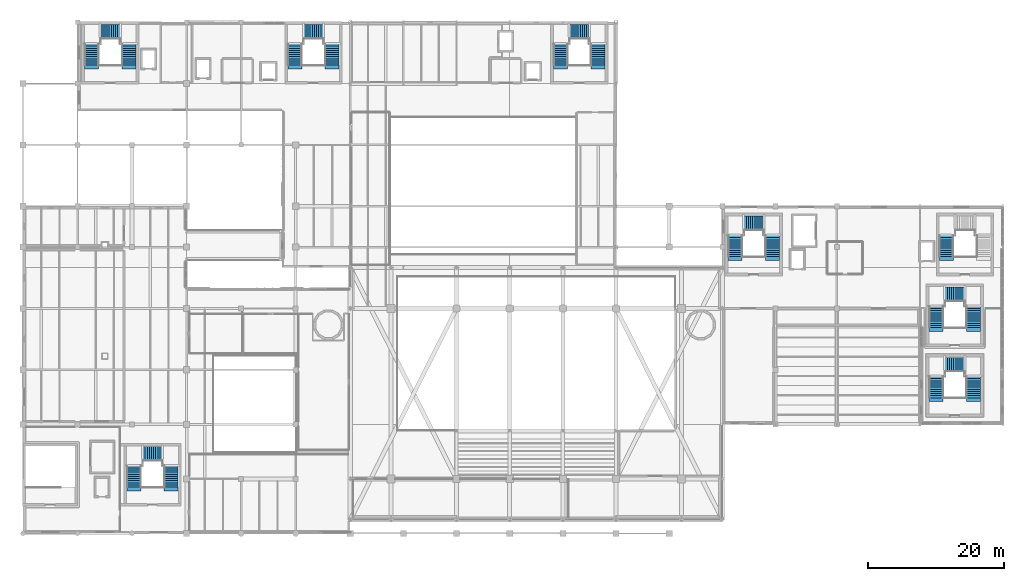
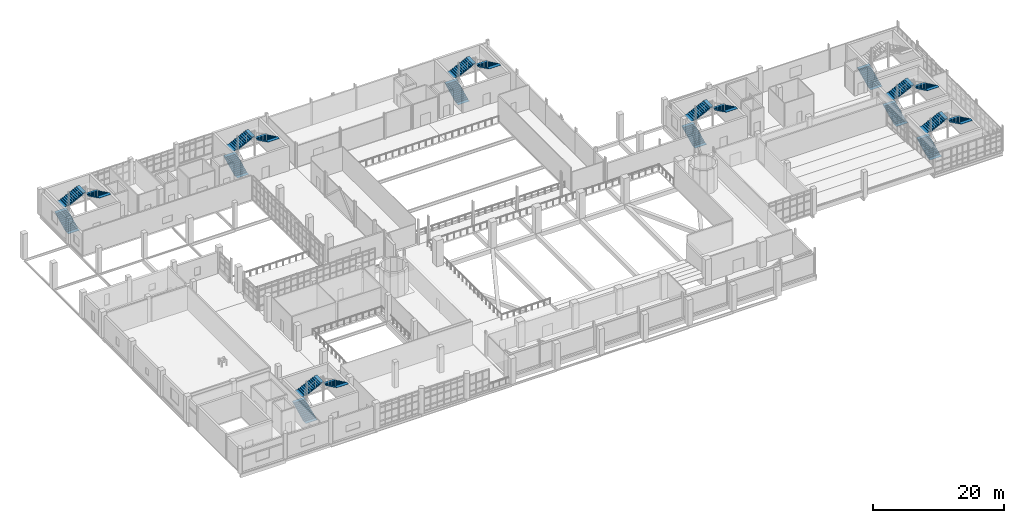
# One storey, part 93 of 100: 22 stair flights, 8 elements without a shape of their own.
"""IFC4 building model written with IfcOpenShell, lengths in metres."""

from ifc_helpers import new_model, si_unit, derived_unit, direction, frame, origin, place, context, subcontext, project, spatial, polyline, outline, extrude, material, type_object, element, aggregate, save


model = new_model("IFC4")

# Units and contexts
model_context = context("Model", 3, precision=1e-05, world=origin(), true_north=direction((0.0, 1.0)))
body_context = subcontext(model_context, "Body", "Model", "MODEL_VIEW")
ifc_project = project(units=[si_unit("LENGTHUNIT", "METRE"), si_unit("AREAUNIT", "SQUARE_METRE"), si_unit("VOLUMEUNIT", "CUBIC_METRE"), si_unit("PLANEANGLEUNIT", "RADIAN"), si_unit("MASSUNIT", "GRAM", prefix="KILO"), derived_unit("THERMALTRANSMITTANCEUNIT", [(si_unit("POWERUNIT", "WATT"), 1), (si_unit("LENGTHUNIT", "METRE"), -2), (si_unit("THERMODYNAMICTEMPERATUREUNIT", "KELVIN"), -1)])], contexts=[model_context])

# Site, building, storey
site_placement = place(None, origin())
site = spatial("IfcSite", under=ifc_project, at=site_placement, CompositionType="ELEMENT")
building_placement = place(site_placement, origin())
building = spatial("IfcBuilding", under=site, at=building_placement, Name="Nallur Shell Playhouse", CompositionType="ELEMENT")
storey_placement = place(building_placement, frame((0.0, 0.0, 10.199951171875)))
storey = spatial("IfcBuildingStorey", under=building, at=storey_placement, Name="L03", CompositionType="ELEMENT", Elevation=10.199951171875)

# Stair, stair flights
ifc_material = material(Name="Concrete M35", Category="concrete")
stair_type = type_object("IfcStairType", Name="ST-CORE-48", PredefinedType="QUARTER_TURN_STAIR", material=ifc_material)
stair_1_placement = place(storey_placement, origin())
stair_1 = element("IfcStair", 1, at=stair_1_placement, inside=storey, type_object=stair_type, Name="Core JC-2 exit stair ST-02-L03 (L03 to L04)", PredefinedType="QUARTER_TURN_STAIR")
stair_flight_type_1 = type_object("IfcStairFlightType", Name="ST-FLIGHT-208", PredefinedType="STRAIGHT", material=ifc_material)
stair_flight_1_placement = place(storey_placement, frame((120.469970703125, 48.60009765625, 0.0), z_axis=(0.0, 0.0, 1.0), x_axis=(0.0, 1.0, 0.0)))
stair_flight_1 = element("IfcStairFlight", 2, at=stair_flight_1_placement, type_object=stair_flight_type_1, Name="ST-48 flight 1", NumberOfRisers=11, NumberOfTreads=10, PredefinedType="STRAIGHT", RiserHeight=0.15, TreadLength=0.31, context=body_context, shape_type="SweptSolid", body=[
    extrude(outline(polyline([(-0.580078125, 0.0), (-0.580078125, 0.01806640625), (0.0, 0.01806640625), (0.0, 0.14990234375), (0.31005859375, 0.14990234375), (0.31005859375, 0.300048828125), (0.6201171875, 0.300048828125), (0.6201171875, 0.449951171875), (0.929931640625, 0.449951171875), (0.929931640625, 0.60009765625), (1.239990234375, 0.60009765625), (1.239990234375, 0.75), (1.550048828125, 0.75), (1.550048828125, 0.89990234375), (1.860107421875, 0.89990234375), (1.860107421875, 1.050048828125), (2.169921875, 1.050048828125), (2.169921875, 1.199951171875), (2.47998046875, 1.199951171875), (2.47998046875, 1.35009765625), (2.7900390625, 1.35009765625), (2.7900390625, 1.5), (3.10009765625, 1.5), (3.10009765625, 1.64990234375), (3.68017578125, 1.64990234375), (3.68017578125, 1.6318359375), (3.10009765625, 1.322265625), (0.3671875, 0.0), (-0.580078125, 0.0)])), frame((0.0, 1.030029296875, 0.0), z_axis=(0.0, -1.0, 0.0), x_axis=(1.0, 0.0, 0.0)), (0.0, 0.0, 1.0), 2.06005859375),
])
stair_flight_2_placement = place(storey_placement, frame((121.804931640625, 53.510009765625, 1.650146484375), z_axis=(0.0, 0.0, 1.0), x_axis=(1.0, 0.0, 0.0)))
stair_flight_2 = element("IfcStairFlight", 3, at=stair_flight_2_placement, type_object=stair_flight_type_1, Name="ST-48 flight 2", NumberOfRisers=10, NumberOfTreads=9, PredefinedType="STRAIGHT", RiserHeight=0.15, TreadLength=0.31, context=body_context, shape_type="SweptSolid", body=[
    extrude(outline(polyline([(-0.580078125, 0.0), (-0.580078125, 0.01806640625), (0.0, 0.01806640625), (0.0, 0.14990234375), (0.31005859375, 0.14990234375), (0.31005859375, 0.300048828125), (0.6201171875, 0.300048828125), (0.6201171875, 0.449951171875), (0.929931640625, 0.449951171875), (0.929931640625, 0.60009765625), (1.239990234375, 0.60009765625), (1.239990234375, 0.75), (1.550048828125, 0.75), (1.550048828125, 0.89990234375), (1.860107421875, 0.89990234375), (1.860107421875, 1.050048828125), (2.169921875, 1.050048828125), (2.169921875, 1.199951171875), (2.47998046875, 1.199951171875), (2.47998046875, 1.35009765625), (2.7900390625, 1.35009765625), (2.7900390625, 1.5), (3.3701171875, 1.5), (3.3701171875, 1.48193359375), (2.7900390625, 1.17236328125), (0.3671875, 0.0), (-0.580078125, 0.0)])), frame((0.0, 1.030029296875, 0.0), z_axis=(0.0, -1.0, 0.0), x_axis=(1.0, 0.0, 0.0)), (0.0, 0.0, 1.0), 2.06005859375),
])
stair_flight_3_placement = place(storey_placement, frame((125.929931640625, 51.699951171875, 3.150146484375), z_axis=(0.0, 0.0, 1.0), x_axis=(0.0, -1.0, 0.0)))
stair_flight_3 = element("IfcStairFlight", 4, at=stair_flight_3_placement, type_object=stair_flight_type_1, Name="ST-48 flight 3", NumberOfRisers=11, NumberOfTreads=10, PredefinedType="STRAIGHT", RiserHeight=0.15, TreadLength=0.31, context=body_context, shape_type="SweptSolid", body=[
    extrude(outline(polyline([(-0.580078125, 0.0), (-0.580078125, 0.01806640625), (0.0, 0.01806640625), (0.0, 0.14990234375), (0.31005859375, 0.14990234375), (0.31005859375, 0.300048828125), (0.6201171875, 0.300048828125), (0.6201171875, 0.449951171875), (0.929931640625, 0.449951171875), (0.929931640625, 0.60009765625), (1.239990234375, 0.60009765625), (1.239990234375, 0.75), (1.550048828125, 0.75), (1.550048828125, 0.89990234375), (1.860107421875, 0.89990234375), (1.860107421875, 1.050048828125), (2.169921875, 1.050048828125), (2.169921875, 1.199951171875), (2.47998046875, 1.199951171875), (2.47998046875, 1.35009765625), (2.7900390625, 1.35009765625), (2.7900390625, 1.5), (3.10009765625, 1.5), (3.10009765625, 1.64990234375), (3.68017578125, 1.64990234375), (3.68017578125, 1.6318359375), (3.10009765625, 1.322265625), (0.3671875, 0.0), (-0.580078125, 0.0)])), frame((0.0, 1.030029296875, 0.0), z_axis=(0.0, -1.0, 0.0), x_axis=(1.0, 0.0, 0.0)), (0.0, 0.0, 1.0), 2.06005859375),
])
aggregate(stair_1, [stair_flight_1, stair_flight_2, stair_flight_3])

stair_2_placement = place(storey_placement, origin())
stair_2 = element("IfcStair", 5, at=stair_2_placement, inside=storey, type_object=stair_type, Name="Core JC-4 exit stair ST-04-L03 (L03 to L04)", PredefinedType="QUARTER_TURN_STAIR")
stair_flight_4_placement = place(storey_placement, frame((94.8701171875, 76.699951171875, 0.0), z_axis=(0.0, 0.0, 1.0), x_axis=(0.0, 1.0, 0.0)))
stair_flight_4 = element("IfcStairFlight", 6, at=stair_flight_4_placement, type_object=stair_flight_type_1, Name="ST-48 flight 1", NumberOfRisers=11, NumberOfTreads=10, PredefinedType="STRAIGHT", RiserHeight=0.15, TreadLength=0.31, context=body_context, shape_type="SweptSolid", body=[
    extrude(outline(polyline([(-0.580078125, 0.0), (-0.580078125, 0.01806640625), (0.0, 0.01806640625), (0.0, 0.14990234375), (0.31005859375, 0.14990234375), (0.31005859375, 0.300048828125), (0.6201171875, 0.300048828125), (0.6201171875, 0.449951171875), (0.929931640625, 0.449951171875), (0.929931640625, 0.60009765625), (1.239990234375, 0.60009765625), (1.239990234375, 0.75), (1.550048828125, 0.75), (1.550048828125, 0.89990234375), (1.860107421875, 0.89990234375), (1.860107421875, 1.050048828125), (2.169921875, 1.050048828125), (2.169921875, 1.199951171875), (2.47998046875, 1.199951171875), (2.47998046875, 1.35009765625), (2.7900390625, 1.35009765625), (2.7900390625, 1.5), (3.10009765625, 1.5), (3.10009765625, 1.64990234375), (3.68017578125, 1.64990234375), (3.68017578125, 1.6318359375), (3.10009765625, 1.322265625), (0.3671875, 0.0), (-0.580078125, 0.0)])), frame((0.0, 1.030029296875, 0.0), z_axis=(0.0, -1.0, 0.0), x_axis=(1.0, 0.0, 0.0)), (0.0, 0.0, 1.0), 2.06005859375),
])
stair_flight_5_placement = place(storey_placement, frame((96.205078125, 81.610107421875, 1.650146484375), z_axis=(0.0, 0.0, 1.0), x_axis=(1.0, 0.0, 0.0)))
stair_flight_5 = element("IfcStairFlight", 7, at=stair_flight_5_placement, type_object=stair_flight_type_1, Name="ST-48 flight 2", NumberOfRisers=10, NumberOfTreads=9, PredefinedType="STRAIGHT", RiserHeight=0.15, TreadLength=0.31, context=body_context, shape_type="SweptSolid", body=[
    extrude(outline(polyline([(-0.580078125, 0.0), (-0.580078125, 0.01806640625), (0.0, 0.01806640625), (0.0, 0.14990234375), (0.31005859375, 0.14990234375), (0.31005859375, 0.300048828125), (0.6201171875, 0.300048828125), (0.6201171875, 0.449951171875), (0.929931640625, 0.449951171875), (0.929931640625, 0.60009765625), (1.239990234375, 0.60009765625), (1.239990234375, 0.75), (1.550048828125, 0.75), (1.550048828125, 0.89990234375), (1.860107421875, 0.89990234375), (1.860107421875, 1.050048828125), (2.169921875, 1.050048828125), (2.169921875, 1.199951171875), (2.47998046875, 1.199951171875), (2.47998046875, 1.35009765625), (2.7900390625, 1.35009765625), (2.7900390625, 1.5), (3.3701171875, 1.5), (3.3701171875, 1.48193359375), (2.7900390625, 1.17236328125), (0.3671875, 0.0), (-0.580078125, 0.0)])), frame((0.0, 1.030029296875, 0.0), z_axis=(0.0, -1.0, 0.0), x_axis=(1.0, 0.0, 0.0)), (0.0, 0.0, 1.0), 2.06005859375),
])
stair_flight_6_placement = place(storey_placement, frame((100.330078125, 79.800048828125, 3.150146484375), z_axis=(0.0, 0.0, 1.0), x_axis=(0.0, -1.0, 0.0)))
stair_flight_6 = element("IfcStairFlight", 8, at=stair_flight_6_placement, type_object=stair_flight_type_1, Name="ST-48 flight 3", NumberOfRisers=11, NumberOfTreads=10, PredefinedType="STRAIGHT", RiserHeight=0.15, TreadLength=0.31, context=body_context, shape_type="SweptSolid", body=[
    extrude(outline(polyline([(-0.580078125, 0.0), (-0.580078125, 0.01806640625), (0.0, 0.01806640625), (0.0, 0.14990234375), (0.31005859375, 0.14990234375), (0.31005859375, 0.300048828125), (0.6201171875, 0.300048828125), (0.6201171875, 0.449951171875), (0.929931640625, 0.449951171875), (0.929931640625, 0.60009765625), (1.239990234375, 0.60009765625), (1.239990234375, 0.75), (1.550048828125, 0.75), (1.550048828125, 0.89990234375), (1.860107421875, 0.89990234375), (1.860107421875, 1.050048828125), (2.169921875, 1.050048828125), (2.169921875, 1.199951171875), (2.47998046875, 1.199951171875), (2.47998046875, 1.35009765625), (2.7900390625, 1.35009765625), (2.7900390625, 1.5), (3.10009765625, 1.5), (3.10009765625, 1.64990234375), (3.68017578125, 1.64990234375), (3.68017578125, 1.6318359375), (3.10009765625, 1.322265625), (0.3671875, 0.0), (-0.580078125, 0.0)])), frame((0.0, 1.030029296875, 0.0), z_axis=(0.0, -1.0, 0.0), x_axis=(1.0, 0.0, 0.0)), (0.0, 0.0, 1.0), 2.06005859375),
])
aggregate(stair_2, [stair_flight_4, stair_flight_5, stair_flight_6])

stair_3_placement = place(storey_placement, origin())
stair_3 = element("IfcStair", 9, at=stair_3_placement, inside=storey, type_object=stair_type, Name="Core JC-8 exit stair ST-08-L03 (L03 to L04)", PredefinedType="QUARTER_TURN_STAIR")
stair_flight_7_placement = place(storey_placement, frame((149.969970703125, 27.89990234375, 0.0), z_axis=(0.0, 0.0, 1.0), x_axis=(0.0, 1.0, 0.0)))
stair_flight_7 = element("IfcStairFlight", 10, at=stair_flight_7_placement, type_object=stair_flight_type_1, Name="ST-48 flight 1", NumberOfRisers=11, NumberOfTreads=10, PredefinedType="STRAIGHT", RiserHeight=0.15, TreadLength=0.31, context=body_context, shape_type="SweptSolid", body=[
    extrude(outline(polyline([(-0.580078125, 0.0), (-0.580078125, 0.01806640625), (0.0, 0.01806640625), (0.0, 0.14990234375), (0.31005859375, 0.14990234375), (0.31005859375, 0.300048828125), (0.6201171875, 0.300048828125), (0.6201171875, 0.449951171875), (0.929931640625, 0.449951171875), (0.929931640625, 0.60009765625), (1.239990234375, 0.60009765625), (1.239990234375, 0.75), (1.550048828125, 0.75), (1.550048828125, 0.89990234375), (1.860107421875, 0.89990234375), (1.860107421875, 1.050048828125), (2.169921875, 1.050048828125), (2.169921875, 1.199951171875), (2.47998046875, 1.199951171875), (2.47998046875, 1.35009765625), (2.7900390625, 1.35009765625), (2.7900390625, 1.5), (3.10009765625, 1.5), (3.10009765625, 1.64990234375), (3.68017578125, 1.64990234375), (3.68017578125, 1.6318359375), (3.10009765625, 1.322265625), (0.3671875, 0.0), (-0.580078125, 0.0)])), frame((0.0, 1.030029296875, 0.0), z_axis=(0.0, -1.0, 0.0), x_axis=(1.0, 0.0, 0.0)), (0.0, 0.0, 1.0), 2.06005859375),
])
stair_flight_8_placement = place(storey_placement, frame((151.304931640625, 32.81005859375, 1.650146484375), z_axis=(0.0, 0.0, 1.0), x_axis=(1.0, 0.0, 0.0)))
stair_flight_8 = element("IfcStairFlight", 11, at=stair_flight_8_placement, type_object=stair_flight_type_1, Name="ST-48 flight 2", NumberOfRisers=10, NumberOfTreads=9, PredefinedType="STRAIGHT", RiserHeight=0.15, TreadLength=0.31, context=body_context, shape_type="SweptSolid", body=[
    extrude(outline(polyline([(-0.580078125, 0.0), (-0.580078125, 0.01806640625), (0.0, 0.01806640625), (0.0, 0.14990234375), (0.31005859375, 0.14990234375), (0.31005859375, 0.300048828125), (0.6201171875, 0.300048828125), (0.6201171875, 0.449951171875), (0.929931640625, 0.449951171875), (0.929931640625, 0.60009765625), (1.239990234375, 0.60009765625), (1.239990234375, 0.75), (1.550048828125, 0.75), (1.550048828125, 0.89990234375), (1.860107421875, 0.89990234375), (1.860107421875, 1.050048828125), (2.169921875, 1.050048828125), (2.169921875, 1.199951171875), (2.47998046875, 1.199951171875), (2.47998046875, 1.35009765625), (2.7900390625, 1.35009765625), (2.7900390625, 1.5), (3.3701171875, 1.5), (3.3701171875, 1.48193359375), (2.7900390625, 1.17236328125), (0.3671875, 0.0), (-0.580078125, 0.0)])), frame((0.0, 1.030029296875, 0.0), z_axis=(0.0, -1.0, 0.0), x_axis=(1.0, 0.0, 0.0)), (0.0, 0.0, 1.0), 2.06005859375),
])
stair_flight_9_placement = place(storey_placement, frame((155.429931640625, 31.0, 3.150146484375), z_axis=(0.0, 0.0, 1.0), x_axis=(0.0, -1.0, 0.0)))
stair_flight_9 = element("IfcStairFlight", 12, at=stair_flight_9_placement, type_object=stair_flight_type_1, Name="ST-48 flight 3", NumberOfRisers=11, NumberOfTreads=10, PredefinedType="STRAIGHT", RiserHeight=0.15, TreadLength=0.31, context=body_context, shape_type="SweptSolid", body=[
    extrude(outline(polyline([(-0.580078125, 0.0), (-0.580078125, 0.01806640625), (0.0, 0.01806640625), (0.0, 0.14990234375), (0.31005859375, 0.14990234375), (0.31005859375, 0.300048828125), (0.6201171875, 0.300048828125), (0.6201171875, 0.449951171875), (0.929931640625, 0.449951171875), (0.929931640625, 0.60009765625), (1.239990234375, 0.60009765625), (1.239990234375, 0.75), (1.550048828125, 0.75), (1.550048828125, 0.89990234375), (1.860107421875, 0.89990234375), (1.860107421875, 1.050048828125), (2.169921875, 1.050048828125), (2.169921875, 1.199951171875), (2.47998046875, 1.199951171875), (2.47998046875, 1.35009765625), (2.7900390625, 1.35009765625), (2.7900390625, 1.5), (3.10009765625, 1.5), (3.10009765625, 1.64990234375), (3.68017578125, 1.64990234375), (3.68017578125, 1.6318359375), (3.10009765625, 1.322265625), (0.3671875, 0.0), (-0.580078125, 0.0)])), frame((0.0, 1.030029296875, 0.0), z_axis=(0.0, -1.0, 0.0), x_axis=(1.0, 0.0, 0.0)), (0.0, 0.0, 1.0), 2.06005859375),
])
aggregate(stair_3, [stair_flight_7, stair_flight_8, stair_flight_9])

stair_4_placement = place(storey_placement, origin())
stair_4 = element("IfcStair", 13, at=stair_4_placement, inside=storey, type_object=stair_type, Name="Core JC-1 exit stair ST-01-L03 (L03 to L04)", PredefinedType="QUARTER_TURN_STAIR")
stair_flight_type_2 = type_object("IfcStairFlightType", Name="ST-FLIGHT-212", PredefinedType="STRAIGHT", material=ifc_material)
stair_flight_10_placement = place(storey_placement, frame((32.27001953125, 14.800048828125, 0.0), z_axis=(0.0, 0.0, 1.0), x_axis=(0.0, 1.0, 0.0)))
stair_flight_10 = element("IfcStairFlight", 14, at=stair_flight_10_placement, type_object=stair_flight_type_2, Name="ST-48 flight 1", NumberOfRisers=11, NumberOfTreads=10, PredefinedType="STRAIGHT", RiserHeight=0.15, TreadLength=0.31, context=body_context, shape_type="SweptSolid", body=[
    extrude(outline(polyline([(-0.580078125, 0.0), (-0.580078125, 0.01806640625), (0.0, 0.01806640625), (0.0, 0.14990234375), (0.31005859375, 0.14990234375), (0.31005859375, 0.300048828125), (0.6201171875, 0.300048828125), (0.6201171875, 0.449951171875), (0.929931640625, 0.449951171875), (0.929931640625, 0.60009765625), (1.239990234375, 0.60009765625), (1.239990234375, 0.75), (1.550048828125, 0.75), (1.550048828125, 0.89990234375), (1.860107421875, 0.89990234375), (1.860107421875, 1.050048828125), (2.169921875, 1.050048828125), (2.169921875, 1.199951171875), (2.47998046875, 1.199951171875), (2.47998046875, 1.35009765625), (2.7900390625, 1.35009765625), (2.7900390625, 1.5), (3.10009765625, 1.5), (3.10009765625, 1.64990234375), (3.68017578125, 1.64990234375), (3.68017578125, 1.6318359375), (3.10009765625, 1.322265625), (0.3671875, 0.0), (-0.580078125, 0.0)])), frame((0.0, 1.030029296875, 0.0), z_axis=(0.0, -1.0, 0.0), x_axis=(1.0, 0.0, 0.0)), (0.0, 0.0, 1.0), 2.06005859375),
])
stair_flight_11_placement = place(storey_placement, frame((33.60498046875, 19.7099609375, 1.650146484375), z_axis=(0.0, 0.0, 1.0), x_axis=(1.0, 0.0, 0.0)))
stair_flight_11 = element("IfcStairFlight", 15, at=stair_flight_11_placement, type_object=stair_flight_type_2, Name="ST-48 flight 2", NumberOfRisers=10, NumberOfTreads=9, PredefinedType="STRAIGHT", RiserHeight=0.15, TreadLength=0.31, context=body_context, shape_type="SweptSolid", body=[
    extrude(outline(polyline([(-0.580078125, 0.0), (-0.580078125, 0.01806640625), (0.0, 0.01806640625), (0.0, 0.14990234375), (0.31005859375, 0.14990234375), (0.31005859375, 0.300048828125), (0.6201171875, 0.300048828125), (0.6201171875, 0.449951171875), (0.929931640625, 0.449951171875), (0.929931640625, 0.60009765625), (1.239990234375, 0.60009765625), (1.239990234375, 0.75), (1.550048828125, 0.75), (1.550048828125, 0.89990234375), (1.860107421875, 0.89990234375), (1.860107421875, 1.050048828125), (2.169921875, 1.050048828125), (2.169921875, 1.199951171875), (2.47998046875, 1.199951171875), (2.47998046875, 1.35009765625), (2.7900390625, 1.35009765625), (2.7900390625, 1.5), (3.3701171875, 1.5), (3.3701171875, 1.48193359375), (2.7900390625, 1.17236328125), (0.3671875, 0.0), (-0.580078125, 0.0)])), frame((0.0, 1.030029296875, 0.0), z_axis=(0.0, -1.0, 0.0), x_axis=(1.0, 0.0, 0.0)), (0.0, 0.0, 1.0), 2.06005859375),
])
stair_flight_12_placement = place(storey_placement, frame((37.72998046875, 17.89990234375, 3.150146484375), z_axis=(0.0, 0.0, 1.0), x_axis=(0.0, -1.0, 0.0)))
stair_flight_12 = element("IfcStairFlight", 16, at=stair_flight_12_placement, type_object=stair_flight_type_2, Name="ST-48 flight 3", NumberOfRisers=11, NumberOfTreads=10, PredefinedType="STRAIGHT", RiserHeight=0.15, TreadLength=0.31, context=body_context, shape_type="SweptSolid", body=[
    extrude(outline(polyline([(-0.580078125, 0.0), (-0.580078125, 0.01806640625), (0.0, 0.01806640625), (0.0, 0.14990234375), (0.31005859375, 0.14990234375), (0.31005859375, 0.300048828125), (0.6201171875, 0.300048828125), (0.6201171875, 0.449951171875), (0.929931640625, 0.449951171875), (0.929931640625, 0.60009765625), (1.239990234375, 0.60009765625), (1.239990234375, 0.75), (1.550048828125, 0.75), (1.550048828125, 0.89990234375), (1.860107421875, 0.89990234375), (1.860107421875, 1.050048828125), (2.169921875, 1.050048828125), (2.169921875, 1.199951171875), (2.47998046875, 1.199951171875), (2.47998046875, 1.35009765625), (2.7900390625, 1.35009765625), (2.7900390625, 1.5), (3.10009765625, 1.5), (3.10009765625, 1.64990234375), (3.68017578125, 1.64990234375), (3.68017578125, 1.6318359375), (3.10009765625, 1.322265625), (0.3671875, 0.0), (-0.580078125, 0.0)])), frame((0.0, 1.030029296875, 0.0), z_axis=(0.0, -1.0, 0.0), x_axis=(1.0, 0.0, 0.0)), (0.0, 0.0, 1.0), 2.06005859375),
])
aggregate(stair_4, [stair_flight_10, stair_flight_11, stair_flight_12])

stair_5_placement = place(storey_placement, origin())
stair_5 = element("IfcStair", 17, at=stair_5_placement, inside=storey, type_object=stair_type, Name="Core JC-3 exit stair ST-03-L03 (L03 to L04)", PredefinedType="QUARTER_TURN_STAIR")
stair_flight_13_placement = place(storey_placement, frame((55.8701171875, 76.699951171875, 0.0), z_axis=(0.0, 0.0, 1.0), x_axis=(0.0, 1.0, 0.0)))
stair_flight_13 = element("IfcStairFlight", 18, at=stair_flight_13_placement, type_object=stair_flight_type_2, Name="ST-48 flight 1", NumberOfRisers=11, NumberOfTreads=10, PredefinedType="STRAIGHT", RiserHeight=0.15, TreadLength=0.31, context=body_context, shape_type="SweptSolid", body=[
    extrude(outline(polyline([(-0.580078125, 0.0), (-0.580078125, 0.01806640625), (0.0, 0.01806640625), (0.0, 0.14990234375), (0.31005859375, 0.14990234375), (0.31005859375, 0.300048828125), (0.6201171875, 0.300048828125), (0.6201171875, 0.449951171875), (0.929931640625, 0.449951171875), (0.929931640625, 0.60009765625), (1.239990234375, 0.60009765625), (1.239990234375, 0.75), (1.550048828125, 0.75), (1.550048828125, 0.89990234375), (1.860107421875, 0.89990234375), (1.860107421875, 1.050048828125), (2.169921875, 1.050048828125), (2.169921875, 1.199951171875), (2.47998046875, 1.199951171875), (2.47998046875, 1.35009765625), (2.7900390625, 1.35009765625), (2.7900390625, 1.5), (3.10009765625, 1.5), (3.10009765625, 1.64990234375), (3.68017578125, 1.64990234375), (3.68017578125, 1.6318359375), (3.10009765625, 1.322265625), (0.3671875, 0.0), (-0.580078125, 0.0)])), frame((0.0, 1.030029296875, 0.0), z_axis=(0.0, -1.0, 0.0), x_axis=(1.0, 0.0, 0.0)), (0.0, 0.0, 1.0), 2.06005859375),
])
stair_flight_14_placement = place(storey_placement, frame((57.205078125, 81.610107421875, 1.650146484375), z_axis=(0.0, 0.0, 1.0), x_axis=(1.0, 0.0, 0.0)))
stair_flight_14 = element("IfcStairFlight", 19, at=stair_flight_14_placement, type_object=stair_flight_type_2, Name="ST-48 flight 2", NumberOfRisers=10, NumberOfTreads=9, PredefinedType="STRAIGHT", RiserHeight=0.15, TreadLength=0.31, context=body_context, shape_type="SweptSolid", body=[
    extrude(outline(polyline([(-0.580078125, 0.0), (-0.580078125, 0.01806640625), (0.0, 0.01806640625), (0.0, 0.14990234375), (0.31005859375, 0.14990234375), (0.31005859375, 0.300048828125), (0.6201171875, 0.300048828125), (0.6201171875, 0.449951171875), (0.929931640625, 0.449951171875), (0.929931640625, 0.60009765625), (1.239990234375, 0.60009765625), (1.239990234375, 0.75), (1.550048828125, 0.75), (1.550048828125, 0.89990234375), (1.860107421875, 0.89990234375), (1.860107421875, 1.050048828125), (2.169921875, 1.050048828125), (2.169921875, 1.199951171875), (2.47998046875, 1.199951171875), (2.47998046875, 1.35009765625), (2.7900390625, 1.35009765625), (2.7900390625, 1.5), (3.3701171875, 1.5), (3.3701171875, 1.48193359375), (2.7900390625, 1.17236328125), (0.3671875, 0.0), (-0.580078125, 0.0)])), frame((0.0, 1.030029296875, 0.0), z_axis=(0.0, -1.0, 0.0), x_axis=(1.0, 0.0, 0.0)), (0.0, 0.0, 1.0), 2.06005859375),
])
stair_flight_15_placement = place(storey_placement, frame((61.330078125, 79.800048828125, 3.150146484375), z_axis=(0.0, 0.0, 1.0), x_axis=(0.0, -1.0, 0.0)))
stair_flight_15 = element("IfcStairFlight", 20, at=stair_flight_15_placement, type_object=stair_flight_type_2, Name="ST-48 flight 3", NumberOfRisers=11, NumberOfTreads=10, PredefinedType="STRAIGHT", RiserHeight=0.15, TreadLength=0.31, context=body_context, shape_type="SweptSolid", body=[
    extrude(outline(polyline([(-0.580078125, 0.0), (-0.580078125, 0.01806640625), (0.0, 0.01806640625), (0.0, 0.14990234375), (0.31005859375, 0.14990234375), (0.31005859375, 0.300048828125), (0.6201171875, 0.300048828125), (0.6201171875, 0.449951171875), (0.929931640625, 0.449951171875), (0.929931640625, 0.60009765625), (1.239990234375, 0.60009765625), (1.239990234375, 0.75), (1.550048828125, 0.75), (1.550048828125, 0.89990234375), (1.860107421875, 0.89990234375), (1.860107421875, 1.050048828125), (2.169921875, 1.050048828125), (2.169921875, 1.199951171875), (2.47998046875, 1.199951171875), (2.47998046875, 1.35009765625), (2.7900390625, 1.35009765625), (2.7900390625, 1.5), (3.10009765625, 1.5), (3.10009765625, 1.64990234375), (3.68017578125, 1.64990234375), (3.68017578125, 1.6318359375), (3.10009765625, 1.322265625), (0.3671875, 0.0), (-0.580078125, 0.0)])), frame((0.0, 1.030029296875, 0.0), z_axis=(0.0, -1.0, 0.0), x_axis=(1.0, 0.0, 0.0)), (0.0, 0.0, 1.0), 2.06005859375),
])
aggregate(stair_5, [stair_flight_13, stair_flight_14, stair_flight_15])

# Stair, stair flight
stair_6_placement = place(storey_placement, origin())
stair_6 = element("IfcStair", 21, at=stair_6_placement, inside=storey, type_object=stair_type, Name="Core JC-5 exit stair ST-05-L03 (L03 to L04)", PredefinedType="QUARTER_TURN_STAIR")
stair_flight_16_placement = place(storey_placement, frame((151.469970703125, 48.60009765625, 0.0), z_axis=(0.0, 0.0, 1.0), x_axis=(0.0, 1.0, 0.0)))
stair_flight_16 = element("IfcStairFlight", 22, at=stair_flight_16_placement, type_object=stair_flight_type_2, Name="ST-48 flight 1", NumberOfRisers=11, NumberOfTreads=10, PredefinedType="STRAIGHT", RiserHeight=0.15, TreadLength=0.31, context=body_context, shape_type="SweptSolid", body=[
    extrude(outline(polyline([(-0.580078125, 0.0), (-0.580078125, 0.01806640625), (0.0, 0.01806640625), (0.0, 0.14990234375), (0.31005859375, 0.14990234375), (0.31005859375, 0.300048828125), (0.6201171875, 0.300048828125), (0.6201171875, 0.449951171875), (0.929931640625, 0.449951171875), (0.929931640625, 0.60009765625), (1.239990234375, 0.60009765625), (1.239990234375, 0.75), (1.550048828125, 0.75), (1.550048828125, 0.89990234375), (1.860107421875, 0.89990234375), (1.860107421875, 1.050048828125), (2.169921875, 1.050048828125), (2.169921875, 1.199951171875), (2.47998046875, 1.199951171875), (2.47998046875, 1.35009765625), (2.7900390625, 1.35009765625), (2.7900390625, 1.5), (3.10009765625, 1.5), (3.10009765625, 1.64990234375), (3.68017578125, 1.64990234375), (3.68017578125, 1.6318359375), (3.10009765625, 1.322265625), (0.3671875, 0.0), (-0.580078125, 0.0)])), frame((0.0, 1.030029296875, 0.0), z_axis=(0.0, -1.0, 0.0), x_axis=(1.0, 0.0, 0.0)), (0.0, 0.0, 1.0), 2.06005859375),
])
aggregate(stair_6, [stair_flight_16])

# Stair, stair flights
stair_7_placement = place(storey_placement, origin())
stair_7 = element("IfcStair", 23, at=stair_7_placement, inside=storey, type_object=stair_type, Name="Core JC-6 exit stair ST-06-L03 (L03 to L04)", PredefinedType="QUARTER_TURN_STAIR")
stair_flight_17_placement = place(storey_placement, frame((26.070068359375, 76.699951171875, 0.0), z_axis=(0.0, 0.0, 1.0), x_axis=(0.0, 1.0, 0.0)))
stair_flight_17 = element("IfcStairFlight", 24, at=stair_flight_17_placement, type_object=stair_flight_type_2, Name="ST-48 flight 1", NumberOfRisers=11, NumberOfTreads=10, PredefinedType="STRAIGHT", RiserHeight=0.15, TreadLength=0.31, context=body_context, shape_type="SweptSolid", body=[
    extrude(outline(polyline([(-0.580078125, 0.0), (-0.580078125, 0.01806640625), (0.0, 0.01806640625), (0.0, 0.14990234375), (0.31005859375, 0.14990234375), (0.31005859375, 0.300048828125), (0.6201171875, 0.300048828125), (0.6201171875, 0.449951171875), (0.929931640625, 0.449951171875), (0.929931640625, 0.60009765625), (1.239990234375, 0.60009765625), (1.239990234375, 0.75), (1.550048828125, 0.75), (1.550048828125, 0.89990234375), (1.860107421875, 0.89990234375), (1.860107421875, 1.050048828125), (2.169921875, 1.050048828125), (2.169921875, 1.199951171875), (2.47998046875, 1.199951171875), (2.47998046875, 1.35009765625), (2.7900390625, 1.35009765625), (2.7900390625, 1.5), (3.10009765625, 1.5), (3.10009765625, 1.64990234375), (3.68017578125, 1.64990234375), (3.68017578125, 1.6318359375), (3.10009765625, 1.322265625), (0.3671875, 0.0), (-0.580078125, 0.0)])), frame((0.0, 1.030029296875, 0.0), z_axis=(0.0, -1.0, 0.0), x_axis=(1.0, 0.0, 0.0)), (0.0, 0.0, 1.0), 2.06005859375),
])
stair_flight_18_placement = place(storey_placement, frame((27.405029296875, 81.610107421875, 1.650146484375), z_axis=(0.0, 0.0, 1.0), x_axis=(1.0, 0.0, 0.0)))
stair_flight_18 = element("IfcStairFlight", 25, at=stair_flight_18_placement, type_object=stair_flight_type_2, Name="ST-48 flight 2", NumberOfRisers=10, NumberOfTreads=9, PredefinedType="STRAIGHT", RiserHeight=0.15, TreadLength=0.31, context=body_context, shape_type="SweptSolid", body=[
    extrude(outline(polyline([(-0.580078125, 0.0), (-0.580078125, 0.01806640625), (0.0, 0.01806640625), (0.0, 0.14990234375), (0.31005859375, 0.14990234375), (0.31005859375, 0.300048828125), (0.6201171875, 0.300048828125), (0.6201171875, 0.449951171875), (0.929931640625, 0.449951171875), (0.929931640625, 0.60009765625), (1.239990234375, 0.60009765625), (1.239990234375, 0.75), (1.550048828125, 0.75), (1.550048828125, 0.89990234375), (1.860107421875, 0.89990234375), (1.860107421875, 1.050048828125), (2.169921875, 1.050048828125), (2.169921875, 1.199951171875), (2.47998046875, 1.199951171875), (2.47998046875, 1.35009765625), (2.7900390625, 1.35009765625), (2.7900390625, 1.5), (3.3701171875, 1.5), (3.3701171875, 1.48193359375), (2.7900390625, 1.17236328125), (0.3671875, 0.0), (-0.580078125, 0.0)])), frame((0.0, 1.030029296875, 0.0), z_axis=(0.0, -1.0, 0.0), x_axis=(1.0, 0.0, 0.0)), (0.0, 0.0, 1.0), 2.06005859375),
])
stair_flight_19_placement = place(storey_placement, frame((31.530029296875, 79.800048828125, 3.150146484375), z_axis=(0.0, 0.0, 1.0), x_axis=(0.0, -1.0, 0.0)))
stair_flight_19 = element("IfcStairFlight", 26, at=stair_flight_19_placement, type_object=stair_flight_type_2, Name="ST-48 flight 3", NumberOfRisers=11, NumberOfTreads=10, PredefinedType="STRAIGHT", RiserHeight=0.15, TreadLength=0.31, context=body_context, shape_type="SweptSolid", body=[
    extrude(outline(polyline([(-0.580078125, 0.0), (-0.580078125, 0.01806640625), (0.0, 0.01806640625), (0.0, 0.14990234375), (0.31005859375, 0.14990234375), (0.31005859375, 0.300048828125), (0.6201171875, 0.300048828125), (0.6201171875, 0.449951171875), (0.929931640625, 0.449951171875), (0.929931640625, 0.60009765625), (1.239990234375, 0.60009765625), (1.239990234375, 0.75), (1.550048828125, 0.75), (1.550048828125, 0.89990234375), (1.860107421875, 0.89990234375), (1.860107421875, 1.050048828125), (2.169921875, 1.050048828125), (2.169921875, 1.199951171875), (2.47998046875, 1.199951171875), (2.47998046875, 1.35009765625), (2.7900390625, 1.35009765625), (2.7900390625, 1.5), (3.10009765625, 1.5), (3.10009765625, 1.64990234375), (3.68017578125, 1.64990234375), (3.68017578125, 1.6318359375), (3.10009765625, 1.322265625), (0.3671875, 0.0), (-0.580078125, 0.0)])), frame((0.0, 1.030029296875, 0.0), z_axis=(0.0, -1.0, 0.0), x_axis=(1.0, 0.0, 0.0)), (0.0, 0.0, 1.0), 2.06005859375),
])
aggregate(stair_7, [stair_flight_17, stair_flight_18, stair_flight_19])

stair_8_placement = place(storey_placement, origin())
stair_8 = element("IfcStair", 27, at=stair_8_placement, inside=storey, type_object=stair_type, Name="Core JC-9 exit stair ST-09-L03 (L03 to L04)", PredefinedType="QUARTER_TURN_STAIR")
stair_flight_20_placement = place(storey_placement, frame((149.969970703125, 38.199951171875, 0.0), z_axis=(0.0, 0.0, 1.0), x_axis=(0.0, 1.0, 0.0)))
stair_flight_20 = element("IfcStairFlight", 28, at=stair_flight_20_placement, type_object=stair_flight_type_2, Name="ST-48 flight 1", NumberOfRisers=11, NumberOfTreads=10, PredefinedType="STRAIGHT", RiserHeight=0.15, TreadLength=0.31, context=body_context, shape_type="SweptSolid", body=[
    extrude(outline(polyline([(-0.580078125, 0.0), (-0.580078125, 0.01806640625), (0.0, 0.01806640625), (0.0, 0.14990234375), (0.31005859375, 0.14990234375), (0.31005859375, 0.300048828125), (0.6201171875, 0.300048828125), (0.6201171875, 0.449951171875), (0.929931640625, 0.449951171875), (0.929931640625, 0.60009765625), (1.239990234375, 0.60009765625), (1.239990234375, 0.75), (1.550048828125, 0.75), (1.550048828125, 0.89990234375), (1.860107421875, 0.89990234375), (1.860107421875, 1.050048828125), (2.169921875, 1.050048828125), (2.169921875, 1.199951171875), (2.47998046875, 1.199951171875), (2.47998046875, 1.35009765625), (2.7900390625, 1.35009765625), (2.7900390625, 1.5), (3.10009765625, 1.5), (3.10009765625, 1.64990234375), (3.68017578125, 1.64990234375), (3.68017578125, 1.6318359375), (3.10009765625, 1.322265625), (0.3671875, 0.0), (-0.580078125, 0.0)])), frame((0.0, 1.030029296875, 0.0), z_axis=(0.0, -1.0, 0.0), x_axis=(1.0, 0.0, 0.0)), (0.0, 0.0, 1.0), 2.06005859375),
])
stair_flight_21_placement = place(storey_placement, frame((151.304931640625, 43.110107421875, 1.650146484375), z_axis=(0.0, 0.0, 1.0), x_axis=(1.0, 0.0, 0.0)))
stair_flight_21 = element("IfcStairFlight", 29, at=stair_flight_21_placement, type_object=stair_flight_type_2, Name="ST-48 flight 2", NumberOfRisers=10, NumberOfTreads=9, PredefinedType="STRAIGHT", RiserHeight=0.15, TreadLength=0.31, context=body_context, shape_type="SweptSolid", body=[
    extrude(outline(polyline([(-0.580078125, 0.0), (-0.580078125, 0.01806640625), (0.0, 0.01806640625), (0.0, 0.14990234375), (0.31005859375, 0.14990234375), (0.31005859375, 0.300048828125), (0.6201171875, 0.300048828125), (0.6201171875, 0.449951171875), (0.929931640625, 0.449951171875), (0.929931640625, 0.60009765625), (1.239990234375, 0.60009765625), (1.239990234375, 0.75), (1.550048828125, 0.75), (1.550048828125, 0.89990234375), (1.860107421875, 0.89990234375), (1.860107421875, 1.050048828125), (2.169921875, 1.050048828125), (2.169921875, 1.199951171875), (2.47998046875, 1.199951171875), (2.47998046875, 1.35009765625), (2.7900390625, 1.35009765625), (2.7900390625, 1.5), (3.3701171875, 1.5), (3.3701171875, 1.48193359375), (2.7900390625, 1.17236328125), (0.3671875, 0.0), (-0.580078125, 0.0)])), frame((0.0, 1.030029296875, 0.0), z_axis=(0.0, -1.0, 0.0), x_axis=(1.0, 0.0, 0.0)), (0.0, 0.0, 1.0), 2.06005859375),
])
stair_flight_22_placement = place(storey_placement, frame((155.429931640625, 41.300048828125, 3.150146484375), z_axis=(0.0, 0.0, 1.0), x_axis=(0.0, -1.0, 0.0)))
stair_flight_22 = element("IfcStairFlight", 30, at=stair_flight_22_placement, type_object=stair_flight_type_2, Name="ST-48 flight 3", NumberOfRisers=11, NumberOfTreads=10, PredefinedType="STRAIGHT", RiserHeight=0.15, TreadLength=0.31, context=body_context, shape_type="SweptSolid", body=[
    extrude(outline(polyline([(-0.580078125, 0.0), (-0.580078125, 0.01806640625), (0.0, 0.01806640625), (0.0, 0.14990234375), (0.31005859375, 0.14990234375), (0.31005859375, 0.300048828125), (0.6201171875, 0.300048828125), (0.6201171875, 0.449951171875), (0.929931640625, 0.449951171875), (0.929931640625, 0.60009765625), (1.239990234375, 0.60009765625), (1.239990234375, 0.75), (1.550048828125, 0.75), (1.550048828125, 0.89990234375), (1.860107421875, 0.89990234375), (1.860107421875, 1.050048828125), (2.169921875, 1.050048828125), (2.169921875, 1.199951171875), (2.47998046875, 1.199951171875), (2.47998046875, 1.35009765625), (2.7900390625, 1.35009765625), (2.7900390625, 1.5), (3.10009765625, 1.5), (3.10009765625, 1.64990234375), (3.68017578125, 1.64990234375), (3.68017578125, 1.6318359375), (3.10009765625, 1.322265625), (0.3671875, 0.0), (-0.580078125, 0.0)])), frame((0.0, 1.030029296875, 0.0), z_axis=(0.0, -1.0, 0.0), x_axis=(1.0, 0.0, 0.0)), (0.0, 0.0, 1.0), 2.06005859375),
])
aggregate(stair_8, [stair_flight_20, stair_flight_21, stair_flight_22])

save(model, "model.ifc")
